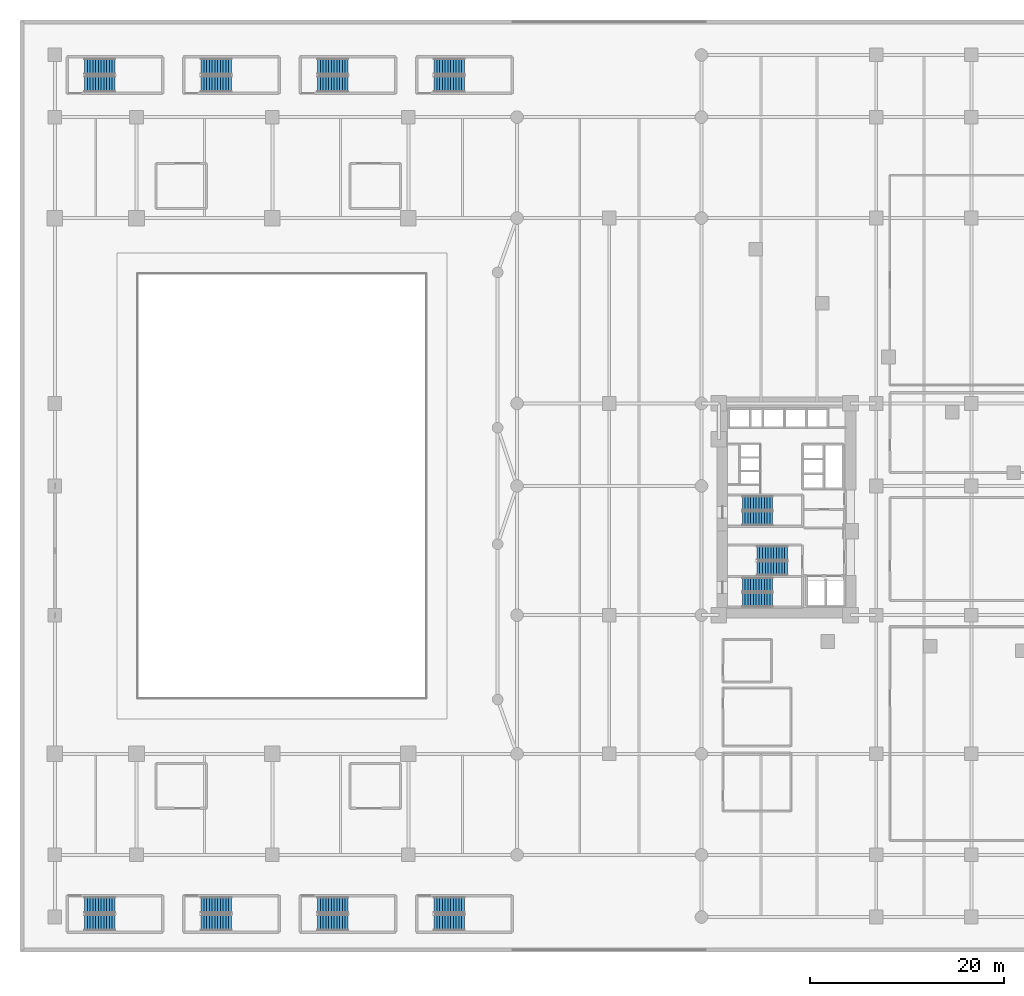
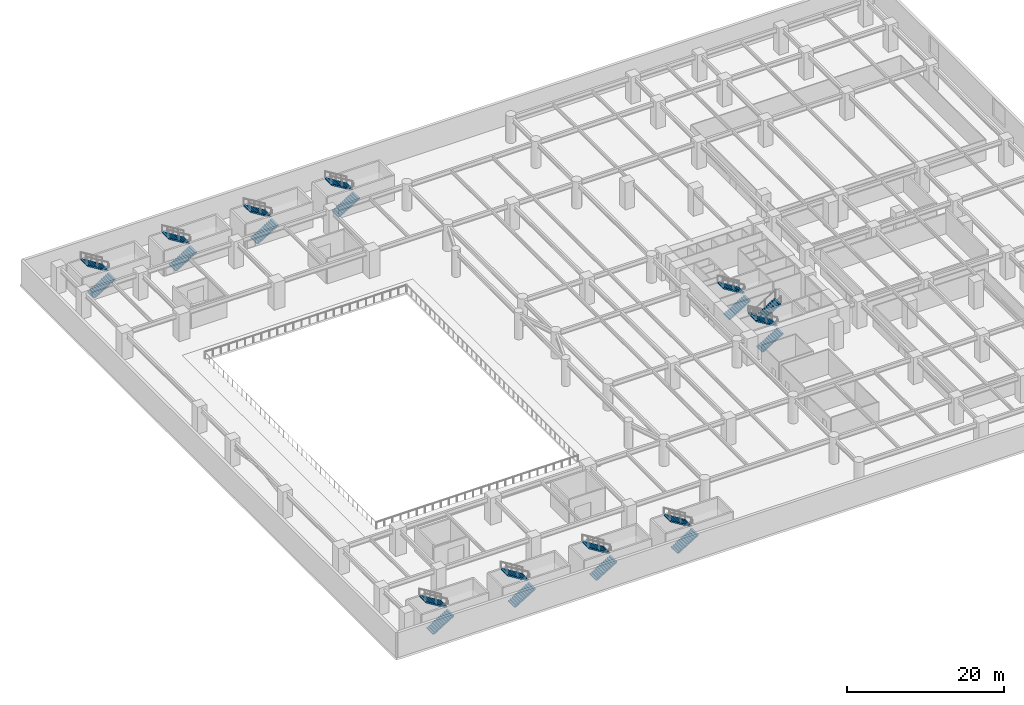
# One storey, part 12 of 22: 22 stair flights, 11 elements without a shape of their own.
"""IFC4 building model written with IfcOpenShell, lengths in metres."""

from ifc_helpers import new_model, si_unit, direction, frame, origin, place, context, subcontext, project, spatial, polyline, outline, extrude, material, type_object, element, aggregate, save


model = new_model("IFC4")

# Units and contexts
model_context = context("Model", 3, precision=1e-05, world=origin(), true_north=direction((0.0, 1.0)))
body_context = subcontext(model_context, "Body", "Model", "MODEL_VIEW")
ifc_project = project(units=[si_unit("LENGTHUNIT", "METRE"), si_unit("AREAUNIT", "SQUARE_METRE"), si_unit("VOLUMEUNIT", "CUBIC_METRE"), si_unit("PLANEANGLEUNIT", "RADIAN"), si_unit("MASSUNIT", "GRAM", prefix="KILO")], contexts=[model_context])

# Site, building, storey
site_placement = place(None, origin())
site = spatial("IfcSite", under=ifc_project, at=site_placement, CompositionType="ELEMENT")
building_placement = place(site_placement, origin())
building = spatial("IfcBuilding", under=site, at=building_placement, Name="Narakoshi Arena Tower", CompositionType="ELEMENT")
storey_placement = place(building_placement, frame((0.0, 0.0, 13.199951171875)))
storey = spatial("IfcBuildingStorey", under=building, at=storey_placement, Name="L03", CompositionType="ELEMENT", Elevation=13.199951171875)

# Stair, stair flights
ifc_material_1 = material(Name="Concrete C45/55", Category="concrete")
stair_type_1 = type_object("IfcStairType", Name="STR-PLANT-420", PredefinedType="TWO_STRAIGHT_RUN_STAIR", material=ifc_material_1)
stair_1_placement = place(storey_placement, origin())
stair_1 = element("IfcStair", 1, at=stair_1_placement, inside=storey, type_object=stair_type_1, Name="L03 Core Escape Stair ST1", PredefinedType="TWO_STRAIGHT_RUN_STAIR")
ifc_material_2 = material(Name="Precast concrete C45/55", Category="concrete")
stair_flight_type_1 = type_object("IfcStairFlightType", Name="FLT-145-160", PredefinedType="STRAIGHT", material=ifc_material_2)
stair_flight_1_placement = place(storey_placement, frame((74.39990234375, 36.27490234375, 0.0), z_axis=(0.0, 0.0, 1.0), x_axis=(1.0, 0.0, 0.0)))
stair_flight_1 = element("IfcStairFlight", 2, at=stair_flight_1_placement, type_object=stair_flight_type_1, Name="ST1 flight 1", NumberOfRisers=12, NumberOfTreads=11, PredefinedType="STRAIGHT", RiserHeight=0.175, TreadLength=0.285, context=body_context, shape_type="SweptSolid", body=[
    extrude(outline(polyline([(0.0, 0.0), (0.0, 0.175048828125), (0.284912109375, 0.175048828125), (0.284912109375, 0.35009765625), (0.570068359375, 0.35009765625), (0.570068359375, 0.52490234375), (0.85498046875, 0.52490234375), (0.85498046875, 0.699951171875), (1.139892578125, 0.699951171875), (1.139892578125, 0.875), (1.425048828125, 0.875), (1.425048828125, 1.050048828125), (1.7099609375, 1.050048828125), (1.7099609375, 1.22509765625), (1.9951171875, 1.22509765625), (1.9951171875, 1.39990234375), (2.280029296875, 1.39990234375), (2.280029296875, 1.574951171875), (2.56494140625, 1.574951171875), (2.56494140625, 1.75), (2.85009765625, 1.75), (2.85009765625, 1.925048828125), (3.135009765625, 1.925048828125), (3.135009765625, 2.10009765625), (3.135009765625, 1.7490234375), (0.286376953125, 0.0), (0.0, 0.0)])), frame((0.0, 0.72509765625, 0.0), z_axis=(0.0, -1.0, 0.0), x_axis=(1.0, 0.0, 0.0)), (0.0, 0.0, 1.0), 1.449951171875),
])
stair_flight_2_placement = place(storey_placement, frame((77.534912109375, 37.824951171875, 2.10009765625), z_axis=(0.0, 0.0, 1.0), x_axis=(-1.0, 0.0, 0.0)))
stair_flight_2 = element("IfcStairFlight", 3, at=stair_flight_2_placement, type_object=stair_flight_type_1, Name="ST1 flight 2", NumberOfRisers=12, NumberOfTreads=11, PredefinedType="STRAIGHT", RiserHeight=0.175, TreadLength=0.285, context=body_context, shape_type="SweptSolid", body=[
    extrude(outline(polyline([(0.0, 0.0), (0.0, 0.175048828125), (0.284912109375, 0.175048828125), (0.284912109375, 0.35009765625), (0.570068359375, 0.35009765625), (0.570068359375, 0.52490234375), (0.85498046875, 0.52490234375), (0.85498046875, 0.699951171875), (1.139892578125, 0.699951171875), (1.139892578125, 0.875), (1.425048828125, 0.875), (1.425048828125, 1.050048828125), (1.7099609375, 1.050048828125), (1.7099609375, 1.22509765625), (1.9951171875, 1.22509765625), (1.9951171875, 1.39990234375), (2.280029296875, 1.39990234375), (2.280029296875, 1.574951171875), (2.56494140625, 1.574951171875), (2.56494140625, 1.75), (2.85009765625, 1.75), (2.85009765625, 1.925048828125), (3.135009765625, 1.925048828125), (3.135009765625, 2.10009765625), (3.135009765625, 1.7490234375), (0.286376953125, 0.0), (0.0, 0.0)])), frame((0.0, 0.72509765625, 0.0), z_axis=(0.0, -1.0, 0.0), x_axis=(1.0, 0.0, 0.0)), (0.0, 0.0, 1.0), 1.449951171875),
])
aggregate(stair_1, [stair_flight_1, stair_flight_2])

stair_2_placement = place(storey_placement, origin())
stair_2 = element("IfcStair", 4, at=stair_2_placement, inside=storey, type_object=stair_type_1, Name="L03 Core Escape Stair ST2", PredefinedType="TWO_STRAIGHT_RUN_STAIR")
stair_flight_3_placement = place(storey_placement, frame((79.050048828125, 41.074951171875, 0.0), z_axis=(0.0, 0.0, 1.0), x_axis=(-1.0, 0.0, 0.0)))
stair_flight_3 = element("IfcStairFlight", 5, at=stair_flight_3_placement, type_object=stair_flight_type_1, Name="ST2 flight 1", NumberOfRisers=12, NumberOfTreads=11, PredefinedType="STRAIGHT", RiserHeight=0.175, TreadLength=0.285, context=body_context, shape_type="SweptSolid", body=[
    extrude(outline(polyline([(0.0, 0.0), (0.0, 0.175048828125), (0.284912109375, 0.175048828125), (0.284912109375, 0.35009765625), (0.570068359375, 0.35009765625), (0.570068359375, 0.52490234375), (0.85498046875, 0.52490234375), (0.85498046875, 0.699951171875), (1.139892578125, 0.699951171875), (1.139892578125, 0.875), (1.425048828125, 0.875), (1.425048828125, 1.050048828125), (1.7099609375, 1.050048828125), (1.7099609375, 1.22509765625), (1.9951171875, 1.22509765625), (1.9951171875, 1.39990234375), (2.280029296875, 1.39990234375), (2.280029296875, 1.574951171875), (2.56494140625, 1.574951171875), (2.56494140625, 1.75), (2.85009765625, 1.75), (2.85009765625, 1.925048828125), (3.135009765625, 1.925048828125), (3.135009765625, 2.10009765625), (3.135009765625, 1.7490234375), (0.286376953125, 0.0), (0.0, 0.0)])), frame((0.0, 0.72509765625, 0.0), z_axis=(0.0, -1.0, 0.0), x_axis=(1.0, 0.0, 0.0)), (0.0, 0.0, 1.0), 1.449951171875),
])
stair_flight_4_placement = place(storey_placement, frame((75.9150390625, 39.52490234375, 2.10009765625), z_axis=(0.0, 0.0, 1.0), x_axis=(1.0, 0.0, 0.0)))
stair_flight_4 = element("IfcStairFlight", 6, at=stair_flight_4_placement, type_object=stair_flight_type_1, Name="ST2 flight 2", NumberOfRisers=12, NumberOfTreads=11, PredefinedType="STRAIGHT", RiserHeight=0.175, TreadLength=0.285, context=body_context, shape_type="SweptSolid", body=[
    extrude(outline(polyline([(0.0, 0.0), (0.0, 0.175048828125), (0.284912109375, 0.175048828125), (0.284912109375, 0.35009765625), (0.570068359375, 0.35009765625), (0.570068359375, 0.52490234375), (0.85498046875, 0.52490234375), (0.85498046875, 0.699951171875), (1.139892578125, 0.699951171875), (1.139892578125, 0.875), (1.425048828125, 0.875), (1.425048828125, 1.050048828125), (1.7099609375, 1.050048828125), (1.7099609375, 1.22509765625), (1.9951171875, 1.22509765625), (1.9951171875, 1.39990234375), (2.280029296875, 1.39990234375), (2.280029296875, 1.574951171875), (2.56494140625, 1.574951171875), (2.56494140625, 1.75), (2.85009765625, 1.75), (2.85009765625, 1.925048828125), (3.135009765625, 1.925048828125), (3.135009765625, 2.10009765625), (3.135009765625, 1.7490234375), (0.286376953125, 0.0), (0.0, 0.0)])), frame((0.0, 0.72509765625, 0.0), z_axis=(0.0, -1.0, 0.0), x_axis=(1.0, 0.0, 0.0)), (0.0, 0.0, 1.0), 1.449951171875),
])
aggregate(stair_2, [stair_flight_3, stair_flight_4])

stair_3_placement = place(storey_placement, origin())
stair_3 = element("IfcStair", 7, at=stair_3_placement, inside=storey, type_object=stair_type_1, Name="L03 Core Escape Stair ST3", PredefinedType="TWO_STRAIGHT_RUN_STAIR")
stair_flight_5_placement = place(storey_placement, frame((74.39990234375, 44.675048828125, 0.0), z_axis=(0.0, 0.0, 1.0), x_axis=(1.0, 0.0, 0.0)))
stair_flight_5 = element("IfcStairFlight", 8, at=stair_flight_5_placement, type_object=stair_flight_type_1, Name="ST3 flight 1", NumberOfRisers=12, NumberOfTreads=11, PredefinedType="STRAIGHT", RiserHeight=0.175, TreadLength=0.285, context=body_context, shape_type="SweptSolid", body=[
    extrude(outline(polyline([(0.0, 0.0), (0.0, 0.175048828125), (0.284912109375, 0.175048828125), (0.284912109375, 0.35009765625), (0.570068359375, 0.35009765625), (0.570068359375, 0.52490234375), (0.85498046875, 0.52490234375), (0.85498046875, 0.699951171875), (1.139892578125, 0.699951171875), (1.139892578125, 0.875), (1.425048828125, 0.875), (1.425048828125, 1.050048828125), (1.7099609375, 1.050048828125), (1.7099609375, 1.22509765625), (1.9951171875, 1.22509765625), (1.9951171875, 1.39990234375), (2.280029296875, 1.39990234375), (2.280029296875, 1.574951171875), (2.56494140625, 1.574951171875), (2.56494140625, 1.75), (2.85009765625, 1.75), (2.85009765625, 1.925048828125), (3.135009765625, 1.925048828125), (3.135009765625, 2.10009765625), (3.135009765625, 1.7490234375), (0.286376953125, 0.0), (0.0, 0.0)])), frame((0.0, 0.72509765625, 0.0), z_axis=(0.0, -1.0, 0.0), x_axis=(1.0, 0.0, 0.0)), (0.0, 0.0, 1.0), 1.449951171875),
])
stair_flight_6_placement = place(storey_placement, frame((77.534912109375, 46.22509765625, 2.10009765625), z_axis=(0.0, 0.0, 1.0), x_axis=(-1.0, 0.0, 0.0)))
stair_flight_6 = element("IfcStairFlight", 9, at=stair_flight_6_placement, type_object=stair_flight_type_1, Name="ST3 flight 2", NumberOfRisers=12, NumberOfTreads=11, PredefinedType="STRAIGHT", RiserHeight=0.175, TreadLength=0.285, context=body_context, shape_type="SweptSolid", body=[
    extrude(outline(polyline([(0.0, 0.0), (0.0, 0.175048828125), (0.284912109375, 0.175048828125), (0.284912109375, 0.35009765625), (0.570068359375, 0.35009765625), (0.570068359375, 0.52490234375), (0.85498046875, 0.52490234375), (0.85498046875, 0.699951171875), (1.139892578125, 0.699951171875), (1.139892578125, 0.875), (1.425048828125, 0.875), (1.425048828125, 1.050048828125), (1.7099609375, 1.050048828125), (1.7099609375, 1.22509765625), (1.9951171875, 1.22509765625), (1.9951171875, 1.39990234375), (2.280029296875, 1.39990234375), (2.280029296875, 1.574951171875), (2.56494140625, 1.574951171875), (2.56494140625, 1.75), (2.85009765625, 1.75), (2.85009765625, 1.925048828125), (3.135009765625, 1.925048828125), (3.135009765625, 2.10009765625), (3.135009765625, 1.7490234375), (0.286376953125, 0.0), (0.0, 0.0)])), frame((0.0, 0.72509765625, 0.0), z_axis=(0.0, -1.0, 0.0), x_axis=(1.0, 0.0, 0.0)), (0.0, 0.0, 1.0), 1.449951171875),
])
aggregate(stair_3, [stair_flight_5, stair_flight_6])

stair_type_2 = type_object("IfcStairType", Name="STR-ARN-2400", PredefinedType="TWO_STRAIGHT_RUN_STAIR", material=ifc_material_1)
stair_4_placement = place(storey_placement, origin())
stair_4 = element("IfcStair", 10, at=stair_4_placement, inside=storey, type_object=stair_type_2, Name="L03 Arena Crowd Escape Stair AST1", PredefinedType="TWO_STRAIGHT_RUN_STAIR")
stair_flight_type_2 = type_object("IfcStairFlightType", Name="FLT-240-150", PredefinedType="STRAIGHT", material=ifc_material_2)
stair_flight_7_placement = place(storey_placement, frame((6.64990234375, 3.02490234375, 0.0), z_axis=(0.0, 0.0, 1.0), x_axis=(1.0, 0.0, 0.0)))
stair_flight_7 = element("IfcStairFlight", 11, at=stair_flight_7_placement, type_object=stair_flight_type_2, Name="AST1 flight 1", NumberOfRisers=12, NumberOfTreads=11, PredefinedType="STRAIGHT", RiserHeight=0.175, TreadLength=0.285, context=body_context, shape_type="SweptSolid", body=[
    extrude(outline(polyline([(0.0, 0.0), (0.0, 0.175048828125), (0.284912109375, 0.175048828125), (0.284912109375, 0.35009765625), (0.570068359375, 0.35009765625), (0.570068359375, 0.52490234375), (0.85498046875, 0.52490234375), (0.85498046875, 0.699951171875), (1.139892578125, 0.699951171875), (1.139892578125, 0.875), (1.425048828125, 0.875), (1.425048828125, 1.050048828125), (1.7099609375, 1.050048828125), (1.7099609375, 1.22509765625), (1.9951171875, 1.22509765625), (1.9951171875, 1.39990234375), (2.280029296875, 1.39990234375), (2.280029296875, 1.574951171875), (2.56494140625, 1.574951171875), (2.56494140625, 1.75), (2.85009765625, 1.75), (2.85009765625, 1.925048828125), (3.135009765625, 1.925048828125), (3.135009765625, 2.10009765625), (3.135009765625, 1.7490234375), (0.286376953125, 0.0), (0.0, 0.0)])), frame((0.0, 0.824951171875, 0.0), z_axis=(0.0, -1.0, 0.0), x_axis=(1.0, 0.0, 0.0)), (0.0, 0.0, 1.0), 1.64990234375),
])
stair_flight_8_placement = place(storey_placement, frame((9.784912109375, 4.824951171875, 2.10009765625), z_axis=(0.0, 0.0, 1.0), x_axis=(-1.0, 0.0, 0.0)))
stair_flight_8 = element("IfcStairFlight", 12, at=stair_flight_8_placement, type_object=stair_flight_type_2, Name="AST1 flight 2", NumberOfRisers=12, NumberOfTreads=11, PredefinedType="STRAIGHT", RiserHeight=0.175, TreadLength=0.285, context=body_context, shape_type="SweptSolid", body=[
    extrude(outline(polyline([(0.0, 0.0), (0.0, 0.175048828125), (0.284912109375, 0.175048828125), (0.284912109375, 0.35009765625), (0.570068359375, 0.35009765625), (0.570068359375, 0.52490234375), (0.85498046875, 0.52490234375), (0.85498046875, 0.699951171875), (1.139892578125, 0.699951171875), (1.139892578125, 0.875), (1.425048828125, 0.875), (1.425048828125, 1.050048828125), (1.7099609375, 1.050048828125), (1.7099609375, 1.22509765625), (1.9951171875, 1.22509765625), (1.9951171875, 1.39990234375), (2.280029296875, 1.39990234375), (2.280029296875, 1.574951171875), (2.56494140625, 1.574951171875), (2.56494140625, 1.75), (2.85009765625, 1.75), (2.85009765625, 1.925048828125), (3.135009765625, 1.925048828125), (3.135009765625, 2.10009765625), (3.135009765625, 1.7490234375), (0.286376953125, 0.0), (0.0, 0.0)])), frame((0.0, 0.824951171875, 0.0), z_axis=(0.0, -1.0, 0.0), x_axis=(1.0, 0.0, 0.0)), (0.0, 0.0, 1.0), 1.64990234375),
])
aggregate(stair_4, [stair_flight_7, stair_flight_8])

stair_5_placement = place(storey_placement, origin())
stair_5 = element("IfcStair", 13, at=stair_5_placement, inside=storey, type_object=stair_type_2, Name="L03 Arena Crowd Escape Stair AST2", PredefinedType="TWO_STRAIGHT_RUN_STAIR")
stair_flight_9_placement = place(storey_placement, frame((18.64990234375, 3.02490234375, 0.0), z_axis=(0.0, 0.0, 1.0), x_axis=(1.0, 0.0, 0.0)))
stair_flight_9 = element("IfcStairFlight", 14, at=stair_flight_9_placement, type_object=stair_flight_type_2, Name="AST2 flight 1", NumberOfRisers=12, NumberOfTreads=11, PredefinedType="STRAIGHT", RiserHeight=0.175, TreadLength=0.285, context=body_context, shape_type="SweptSolid", body=[
    extrude(outline(polyline([(0.0, 0.0), (0.0, 0.175048828125), (0.284912109375, 0.175048828125), (0.284912109375, 0.35009765625), (0.570068359375, 0.35009765625), (0.570068359375, 0.52490234375), (0.85498046875, 0.52490234375), (0.85498046875, 0.699951171875), (1.139892578125, 0.699951171875), (1.139892578125, 0.875), (1.425048828125, 0.875), (1.425048828125, 1.050048828125), (1.7099609375, 1.050048828125), (1.7099609375, 1.22509765625), (1.9951171875, 1.22509765625), (1.9951171875, 1.39990234375), (2.280029296875, 1.39990234375), (2.280029296875, 1.574951171875), (2.56494140625, 1.574951171875), (2.56494140625, 1.75), (2.85009765625, 1.75), (2.85009765625, 1.925048828125), (3.135009765625, 1.925048828125), (3.135009765625, 2.10009765625), (3.135009765625, 1.7490234375), (0.286376953125, 0.0), (0.0, 0.0)])), frame((0.0, 0.824951171875, 0.0), z_axis=(0.0, -1.0, 0.0), x_axis=(1.0, 0.0, 0.0)), (0.0, 0.0, 1.0), 1.64990234375),
])
stair_flight_10_placement = place(storey_placement, frame((21.784912109375, 4.824951171875, 2.10009765625), z_axis=(0.0, 0.0, 1.0), x_axis=(-1.0, 0.0, 0.0)))
stair_flight_10 = element("IfcStairFlight", 15, at=stair_flight_10_placement, type_object=stair_flight_type_2, Name="AST2 flight 2", NumberOfRisers=12, NumberOfTreads=11, PredefinedType="STRAIGHT", RiserHeight=0.175, TreadLength=0.285, context=body_context, shape_type="SweptSolid", body=[
    extrude(outline(polyline([(0.0, 0.0), (0.0, 0.175048828125), (0.284912109375, 0.175048828125), (0.284912109375, 0.35009765625), (0.570068359375, 0.35009765625), (0.570068359375, 0.52490234375), (0.85498046875, 0.52490234375), (0.85498046875, 0.699951171875), (1.139892578125, 0.699951171875), (1.139892578125, 0.875), (1.425048828125, 0.875), (1.425048828125, 1.050048828125), (1.7099609375, 1.050048828125), (1.7099609375, 1.22509765625), (1.9951171875, 1.22509765625), (1.9951171875, 1.39990234375), (2.280029296875, 1.39990234375), (2.280029296875, 1.574951171875), (2.56494140625, 1.574951171875), (2.56494140625, 1.75), (2.85009765625, 1.75), (2.85009765625, 1.925048828125), (3.135009765625, 1.925048828125), (3.135009765625, 2.10009765625), (3.135009765625, 1.7490234375), (0.286376953125, 0.0), (0.0, 0.0)])), frame((0.0, 0.824951171875, 0.0), z_axis=(0.0, -1.0, 0.0), x_axis=(1.0, 0.0, 0.0)), (0.0, 0.0, 1.0), 1.64990234375),
])
aggregate(stair_5, [stair_flight_9, stair_flight_10])

stair_6_placement = place(storey_placement, origin())
stair_6 = element("IfcStair", 16, at=stair_6_placement, inside=storey, type_object=stair_type_2, Name="L03 Arena Crowd Escape Stair AST3", PredefinedType="TWO_STRAIGHT_RUN_STAIR")
stair_flight_11_placement = place(storey_placement, frame((30.64990234375, 3.02490234375, 0.0), z_axis=(0.0, 0.0, 1.0), x_axis=(1.0, 0.0, 0.0)))
stair_flight_11 = element("IfcStairFlight", 17, at=stair_flight_11_placement, type_object=stair_flight_type_2, Name="AST3 flight 1", NumberOfRisers=12, NumberOfTreads=11, PredefinedType="STRAIGHT", RiserHeight=0.175, TreadLength=0.285, context=body_context, shape_type="SweptSolid", body=[
    extrude(outline(polyline([(0.0, 0.0), (0.0, 0.175048828125), (0.284912109375, 0.175048828125), (0.284912109375, 0.35009765625), (0.570068359375, 0.35009765625), (0.570068359375, 0.52490234375), (0.85498046875, 0.52490234375), (0.85498046875, 0.699951171875), (1.139892578125, 0.699951171875), (1.139892578125, 0.875), (1.425048828125, 0.875), (1.425048828125, 1.050048828125), (1.7099609375, 1.050048828125), (1.7099609375, 1.22509765625), (1.9951171875, 1.22509765625), (1.9951171875, 1.39990234375), (2.280029296875, 1.39990234375), (2.280029296875, 1.574951171875), (2.56494140625, 1.574951171875), (2.56494140625, 1.75), (2.85009765625, 1.75), (2.85009765625, 1.925048828125), (3.135009765625, 1.925048828125), (3.135009765625, 2.10009765625), (3.135009765625, 1.7490234375), (0.286376953125, 0.0), (0.0, 0.0)])), frame((0.0, 0.824951171875, 0.0), z_axis=(0.0, -1.0, 0.0), x_axis=(1.0, 0.0, 0.0)), (0.0, 0.0, 1.0), 1.64990234375),
])
stair_flight_12_placement = place(storey_placement, frame((33.784912109375, 4.824951171875, 2.10009765625), z_axis=(0.0, 0.0, 1.0), x_axis=(-1.0, 0.0, 0.0)))
stair_flight_12 = element("IfcStairFlight", 18, at=stair_flight_12_placement, type_object=stair_flight_type_2, Name="AST3 flight 2", NumberOfRisers=12, NumberOfTreads=11, PredefinedType="STRAIGHT", RiserHeight=0.175, TreadLength=0.285, context=body_context, shape_type="SweptSolid", body=[
    extrude(outline(polyline([(0.0, 0.0), (0.0, 0.175048828125), (0.284912109375, 0.175048828125), (0.284912109375, 0.35009765625), (0.570068359375, 0.35009765625), (0.570068359375, 0.52490234375), (0.85498046875, 0.52490234375), (0.85498046875, 0.699951171875), (1.139892578125, 0.699951171875), (1.139892578125, 0.875), (1.425048828125, 0.875), (1.425048828125, 1.050048828125), (1.7099609375, 1.050048828125), (1.7099609375, 1.22509765625), (1.9951171875, 1.22509765625), (1.9951171875, 1.39990234375), (2.280029296875, 1.39990234375), (2.280029296875, 1.574951171875), (2.56494140625, 1.574951171875), (2.56494140625, 1.75), (2.85009765625, 1.75), (2.85009765625, 1.925048828125), (3.135009765625, 1.925048828125), (3.135009765625, 2.10009765625), (3.135009765625, 1.7490234375), (0.286376953125, 0.0), (0.0, 0.0)])), frame((0.0, 0.824951171875, 0.0), z_axis=(0.0, -1.0, 0.0), x_axis=(1.0, 0.0, 0.0)), (0.0, 0.0, 1.0), 1.64990234375),
])
aggregate(stair_6, [stair_flight_11, stair_flight_12])

stair_7_placement = place(storey_placement, origin())
stair_7 = element("IfcStair", 19, at=stair_7_placement, inside=storey, type_object=stair_type_2, Name="L03 Arena Crowd Escape Stair AST4", PredefinedType="TWO_STRAIGHT_RUN_STAIR")
stair_flight_13_placement = place(storey_placement, frame((42.64990234375, 3.02490234375, 0.0), z_axis=(0.0, 0.0, 1.0), x_axis=(1.0, 0.0, 0.0)))
stair_flight_13 = element("IfcStairFlight", 20, at=stair_flight_13_placement, type_object=stair_flight_type_2, Name="AST4 flight 1", NumberOfRisers=12, NumberOfTreads=11, PredefinedType="STRAIGHT", RiserHeight=0.175, TreadLength=0.285, context=body_context, shape_type="SweptSolid", body=[
    extrude(outline(polyline([(0.0, 0.0), (0.0, 0.175048828125), (0.284912109375, 0.175048828125), (0.284912109375, 0.35009765625), (0.570068359375, 0.35009765625), (0.570068359375, 0.52490234375), (0.85498046875, 0.52490234375), (0.85498046875, 0.699951171875), (1.139892578125, 0.699951171875), (1.139892578125, 0.875), (1.425048828125, 0.875), (1.425048828125, 1.050048828125), (1.7099609375, 1.050048828125), (1.7099609375, 1.22509765625), (1.9951171875, 1.22509765625), (1.9951171875, 1.39990234375), (2.280029296875, 1.39990234375), (2.280029296875, 1.574951171875), (2.56494140625, 1.574951171875), (2.56494140625, 1.75), (2.85009765625, 1.75), (2.85009765625, 1.925048828125), (3.135009765625, 1.925048828125), (3.135009765625, 2.10009765625), (3.135009765625, 1.7490234375), (0.286376953125, 0.0), (0.0, 0.0)])), frame((0.0, 0.824951171875, 0.0), z_axis=(0.0, -1.0, 0.0), x_axis=(1.0, 0.0, 0.0)), (0.0, 0.0, 1.0), 1.64990234375),
])
stair_flight_14_placement = place(storey_placement, frame((45.784912109375, 4.824951171875, 2.10009765625), z_axis=(0.0, 0.0, 1.0), x_axis=(-1.0, 0.0, 0.0)))
stair_flight_14 = element("IfcStairFlight", 21, at=stair_flight_14_placement, type_object=stair_flight_type_2, Name="AST4 flight 2", NumberOfRisers=12, NumberOfTreads=11, PredefinedType="STRAIGHT", RiserHeight=0.175, TreadLength=0.285, context=body_context, shape_type="SweptSolid", body=[
    extrude(outline(polyline([(0.0, 0.0), (0.0, 0.175048828125), (0.284912109375, 0.175048828125), (0.284912109375, 0.35009765625), (0.570068359375, 0.35009765625), (0.570068359375, 0.52490234375), (0.85498046875, 0.52490234375), (0.85498046875, 0.699951171875), (1.139892578125, 0.699951171875), (1.139892578125, 0.875), (1.425048828125, 0.875), (1.425048828125, 1.050048828125), (1.7099609375, 1.050048828125), (1.7099609375, 1.22509765625), (1.9951171875, 1.22509765625), (1.9951171875, 1.39990234375), (2.280029296875, 1.39990234375), (2.280029296875, 1.574951171875), (2.56494140625, 1.574951171875), (2.56494140625, 1.75), (2.85009765625, 1.75), (2.85009765625, 1.925048828125), (3.135009765625, 1.925048828125), (3.135009765625, 2.10009765625), (3.135009765625, 1.7490234375), (0.286376953125, 0.0), (0.0, 0.0)])), frame((0.0, 0.824951171875, 0.0), z_axis=(0.0, -1.0, 0.0), x_axis=(1.0, 0.0, 0.0)), (0.0, 0.0, 1.0), 1.64990234375),
])
aggregate(stair_7, [stair_flight_13, stair_flight_14])

stair_8_placement = place(storey_placement, origin())
stair_8 = element("IfcStair", 22, at=stair_8_placement, inside=storey, type_object=stair_type_2, Name="L03 Arena Crowd Escape Stair AST5", PredefinedType="TWO_STRAIGHT_RUN_STAIR")
stair_flight_15_placement = place(storey_placement, frame((6.64990234375, 89.425048828125, 0.0), z_axis=(0.0, 0.0, 1.0), x_axis=(1.0, 0.0, 0.0)))
stair_flight_15 = element("IfcStairFlight", 23, at=stair_flight_15_placement, type_object=stair_flight_type_2, Name="AST5 flight 1", NumberOfRisers=12, NumberOfTreads=11, PredefinedType="STRAIGHT", RiserHeight=0.175, TreadLength=0.285, context=body_context, shape_type="SweptSolid", body=[
    extrude(outline(polyline([(0.0, 0.0), (0.0, 0.175048828125), (0.284912109375, 0.175048828125), (0.284912109375, 0.35009765625), (0.570068359375, 0.35009765625), (0.570068359375, 0.52490234375), (0.85498046875, 0.52490234375), (0.85498046875, 0.699951171875), (1.139892578125, 0.699951171875), (1.139892578125, 0.875), (1.425048828125, 0.875), (1.425048828125, 1.050048828125), (1.7099609375, 1.050048828125), (1.7099609375, 1.22509765625), (1.9951171875, 1.22509765625), (1.9951171875, 1.39990234375), (2.280029296875, 1.39990234375), (2.280029296875, 1.574951171875), (2.56494140625, 1.574951171875), (2.56494140625, 1.75), (2.85009765625, 1.75), (2.85009765625, 1.925048828125), (3.135009765625, 1.925048828125), (3.135009765625, 2.10009765625), (3.135009765625, 1.7490234375), (0.286376953125, 0.0), (0.0, 0.0)])), frame((0.0, 0.824951171875, 0.0), z_axis=(0.0, -1.0, 0.0), x_axis=(1.0, 0.0, 0.0)), (0.0, 0.0, 1.0), 1.64990234375),
])
stair_flight_16_placement = place(storey_placement, frame((9.784912109375, 91.22509765625, 2.10009765625), z_axis=(0.0, 0.0, 1.0), x_axis=(-1.0, 0.0, 0.0)))
stair_flight_16 = element("IfcStairFlight", 24, at=stair_flight_16_placement, type_object=stair_flight_type_2, Name="AST5 flight 2", NumberOfRisers=12, NumberOfTreads=11, PredefinedType="STRAIGHT", RiserHeight=0.175, TreadLength=0.285, context=body_context, shape_type="SweptSolid", body=[
    extrude(outline(polyline([(0.0, 0.0), (0.0, 0.175048828125), (0.284912109375, 0.175048828125), (0.284912109375, 0.35009765625), (0.570068359375, 0.35009765625), (0.570068359375, 0.52490234375), (0.85498046875, 0.52490234375), (0.85498046875, 0.699951171875), (1.139892578125, 0.699951171875), (1.139892578125, 0.875), (1.425048828125, 0.875), (1.425048828125, 1.050048828125), (1.7099609375, 1.050048828125), (1.7099609375, 1.22509765625), (1.9951171875, 1.22509765625), (1.9951171875, 1.39990234375), (2.280029296875, 1.39990234375), (2.280029296875, 1.574951171875), (2.56494140625, 1.574951171875), (2.56494140625, 1.75), (2.85009765625, 1.75), (2.85009765625, 1.925048828125), (3.135009765625, 1.925048828125), (3.135009765625, 2.10009765625), (3.135009765625, 1.7490234375), (0.286376953125, 0.0), (0.0, 0.0)])), frame((0.0, 0.824951171875, 0.0), z_axis=(0.0, -1.0, 0.0), x_axis=(1.0, 0.0, 0.0)), (0.0, 0.0, 1.0), 1.64990234375),
])
aggregate(stair_8, [stair_flight_15, stair_flight_16])

stair_9_placement = place(storey_placement, origin())
stair_9 = element("IfcStair", 25, at=stair_9_placement, inside=storey, type_object=stair_type_2, Name="L03 Arena Crowd Escape Stair AST6", PredefinedType="TWO_STRAIGHT_RUN_STAIR")
stair_flight_17_placement = place(storey_placement, frame((18.64990234375, 89.425048828125, 0.0), z_axis=(0.0, 0.0, 1.0), x_axis=(1.0, 0.0, 0.0)))
stair_flight_17 = element("IfcStairFlight", 26, at=stair_flight_17_placement, type_object=stair_flight_type_2, Name="AST6 flight 1", NumberOfRisers=12, NumberOfTreads=11, PredefinedType="STRAIGHT", RiserHeight=0.175, TreadLength=0.285, context=body_context, shape_type="SweptSolid", body=[
    extrude(outline(polyline([(0.0, 0.0), (0.0, 0.175048828125), (0.284912109375, 0.175048828125), (0.284912109375, 0.35009765625), (0.570068359375, 0.35009765625), (0.570068359375, 0.52490234375), (0.85498046875, 0.52490234375), (0.85498046875, 0.699951171875), (1.139892578125, 0.699951171875), (1.139892578125, 0.875), (1.425048828125, 0.875), (1.425048828125, 1.050048828125), (1.7099609375, 1.050048828125), (1.7099609375, 1.22509765625), (1.9951171875, 1.22509765625), (1.9951171875, 1.39990234375), (2.280029296875, 1.39990234375), (2.280029296875, 1.574951171875), (2.56494140625, 1.574951171875), (2.56494140625, 1.75), (2.85009765625, 1.75), (2.85009765625, 1.925048828125), (3.135009765625, 1.925048828125), (3.135009765625, 2.10009765625), (3.135009765625, 1.7490234375), (0.286376953125, 0.0), (0.0, 0.0)])), frame((0.0, 0.824951171875, 0.0), z_axis=(0.0, -1.0, 0.0), x_axis=(1.0, 0.0, 0.0)), (0.0, 0.0, 1.0), 1.64990234375),
])
stair_flight_18_placement = place(storey_placement, frame((21.784912109375, 91.22509765625, 2.10009765625), z_axis=(0.0, 0.0, 1.0), x_axis=(-1.0, 0.0, 0.0)))
stair_flight_18 = element("IfcStairFlight", 27, at=stair_flight_18_placement, type_object=stair_flight_type_2, Name="AST6 flight 2", NumberOfRisers=12, NumberOfTreads=11, PredefinedType="STRAIGHT", RiserHeight=0.175, TreadLength=0.285, context=body_context, shape_type="SweptSolid", body=[
    extrude(outline(polyline([(0.0, 0.0), (0.0, 0.175048828125), (0.284912109375, 0.175048828125), (0.284912109375, 0.35009765625), (0.570068359375, 0.35009765625), (0.570068359375, 0.52490234375), (0.85498046875, 0.52490234375), (0.85498046875, 0.699951171875), (1.139892578125, 0.699951171875), (1.139892578125, 0.875), (1.425048828125, 0.875), (1.425048828125, 1.050048828125), (1.7099609375, 1.050048828125), (1.7099609375, 1.22509765625), (1.9951171875, 1.22509765625), (1.9951171875, 1.39990234375), (2.280029296875, 1.39990234375), (2.280029296875, 1.574951171875), (2.56494140625, 1.574951171875), (2.56494140625, 1.75), (2.85009765625, 1.75), (2.85009765625, 1.925048828125), (3.135009765625, 1.925048828125), (3.135009765625, 2.10009765625), (3.135009765625, 1.7490234375), (0.286376953125, 0.0), (0.0, 0.0)])), frame((0.0, 0.824951171875, 0.0), z_axis=(0.0, -1.0, 0.0), x_axis=(1.0, 0.0, 0.0)), (0.0, 0.0, 1.0), 1.64990234375),
])
aggregate(stair_9, [stair_flight_17, stair_flight_18])

stair_10_placement = place(storey_placement, origin())
stair_10 = element("IfcStair", 28, at=stair_10_placement, inside=storey, type_object=stair_type_2, Name="L03 Arena Crowd Escape Stair AST7", PredefinedType="TWO_STRAIGHT_RUN_STAIR")
stair_flight_19_placement = place(storey_placement, frame((30.64990234375, 89.425048828125, 0.0), z_axis=(0.0, 0.0, 1.0), x_axis=(1.0, 0.0, 0.0)))
stair_flight_19 = element("IfcStairFlight", 29, at=stair_flight_19_placement, type_object=stair_flight_type_2, Name="AST7 flight 1", NumberOfRisers=12, NumberOfTreads=11, PredefinedType="STRAIGHT", RiserHeight=0.175, TreadLength=0.285, context=body_context, shape_type="SweptSolid", body=[
    extrude(outline(polyline([(0.0, 0.0), (0.0, 0.175048828125), (0.284912109375, 0.175048828125), (0.284912109375, 0.35009765625), (0.570068359375, 0.35009765625), (0.570068359375, 0.52490234375), (0.85498046875, 0.52490234375), (0.85498046875, 0.699951171875), (1.139892578125, 0.699951171875), (1.139892578125, 0.875), (1.425048828125, 0.875), (1.425048828125, 1.050048828125), (1.7099609375, 1.050048828125), (1.7099609375, 1.22509765625), (1.9951171875, 1.22509765625), (1.9951171875, 1.39990234375), (2.280029296875, 1.39990234375), (2.280029296875, 1.574951171875), (2.56494140625, 1.574951171875), (2.56494140625, 1.75), (2.85009765625, 1.75), (2.85009765625, 1.925048828125), (3.135009765625, 1.925048828125), (3.135009765625, 2.10009765625), (3.135009765625, 1.7490234375), (0.286376953125, 0.0), (0.0, 0.0)])), frame((0.0, 0.824951171875, 0.0), z_axis=(0.0, -1.0, 0.0), x_axis=(1.0, 0.0, 0.0)), (0.0, 0.0, 1.0), 1.64990234375),
])
stair_flight_20_placement = place(storey_placement, frame((33.784912109375, 91.22509765625, 2.10009765625), z_axis=(0.0, 0.0, 1.0), x_axis=(-1.0, 0.0, 0.0)))
stair_flight_20 = element("IfcStairFlight", 30, at=stair_flight_20_placement, type_object=stair_flight_type_2, Name="AST7 flight 2", NumberOfRisers=12, NumberOfTreads=11, PredefinedType="STRAIGHT", RiserHeight=0.175, TreadLength=0.285, context=body_context, shape_type="SweptSolid", body=[
    extrude(outline(polyline([(0.0, 0.0), (0.0, 0.175048828125), (0.284912109375, 0.175048828125), (0.284912109375, 0.35009765625), (0.570068359375, 0.35009765625), (0.570068359375, 0.52490234375), (0.85498046875, 0.52490234375), (0.85498046875, 0.699951171875), (1.139892578125, 0.699951171875), (1.139892578125, 0.875), (1.425048828125, 0.875), (1.425048828125, 1.050048828125), (1.7099609375, 1.050048828125), (1.7099609375, 1.22509765625), (1.9951171875, 1.22509765625), (1.9951171875, 1.39990234375), (2.280029296875, 1.39990234375), (2.280029296875, 1.574951171875), (2.56494140625, 1.574951171875), (2.56494140625, 1.75), (2.85009765625, 1.75), (2.85009765625, 1.925048828125), (3.135009765625, 1.925048828125), (3.135009765625, 2.10009765625), (3.135009765625, 1.7490234375), (0.286376953125, 0.0), (0.0, 0.0)])), frame((0.0, 0.824951171875, 0.0), z_axis=(0.0, -1.0, 0.0), x_axis=(1.0, 0.0, 0.0)), (0.0, 0.0, 1.0), 1.64990234375),
])
aggregate(stair_10, [stair_flight_19, stair_flight_20])

stair_11_placement = place(storey_placement, origin())
stair_11 = element("IfcStair", 31, at=stair_11_placement, inside=storey, type_object=stair_type_2, Name="L03 Arena Crowd Escape Stair AST8", PredefinedType="TWO_STRAIGHT_RUN_STAIR")
stair_flight_21_placement = place(storey_placement, frame((42.64990234375, 89.425048828125, 0.0), z_axis=(0.0, 0.0, 1.0), x_axis=(1.0, 0.0, 0.0)))
stair_flight_21 = element("IfcStairFlight", 32, at=stair_flight_21_placement, type_object=stair_flight_type_2, Name="AST8 flight 1", NumberOfRisers=12, NumberOfTreads=11, PredefinedType="STRAIGHT", RiserHeight=0.175, TreadLength=0.285, context=body_context, shape_type="SweptSolid", body=[
    extrude(outline(polyline([(0.0, 0.0), (0.0, 0.175048828125), (0.284912109375, 0.175048828125), (0.284912109375, 0.35009765625), (0.570068359375, 0.35009765625), (0.570068359375, 0.52490234375), (0.85498046875, 0.52490234375), (0.85498046875, 0.699951171875), (1.139892578125, 0.699951171875), (1.139892578125, 0.875), (1.425048828125, 0.875), (1.425048828125, 1.050048828125), (1.7099609375, 1.050048828125), (1.7099609375, 1.22509765625), (1.9951171875, 1.22509765625), (1.9951171875, 1.39990234375), (2.280029296875, 1.39990234375), (2.280029296875, 1.574951171875), (2.56494140625, 1.574951171875), (2.56494140625, 1.75), (2.85009765625, 1.75), (2.85009765625, 1.925048828125), (3.135009765625, 1.925048828125), (3.135009765625, 2.10009765625), (3.135009765625, 1.7490234375), (0.286376953125, 0.0), (0.0, 0.0)])), frame((0.0, 0.824951171875, 0.0), z_axis=(0.0, -1.0, 0.0), x_axis=(1.0, 0.0, 0.0)), (0.0, 0.0, 1.0), 1.64990234375),
])
stair_flight_22_placement = place(storey_placement, frame((45.784912109375, 91.22509765625, 2.10009765625), z_axis=(0.0, 0.0, 1.0), x_axis=(-1.0, 0.0, 0.0)))
stair_flight_22 = element("IfcStairFlight", 33, at=stair_flight_22_placement, type_object=stair_flight_type_2, Name="AST8 flight 2", NumberOfRisers=12, NumberOfTreads=11, PredefinedType="STRAIGHT", RiserHeight=0.175, TreadLength=0.285, context=body_context, shape_type="SweptSolid", body=[
    extrude(outline(polyline([(0.0, 0.0), (0.0, 0.175048828125), (0.284912109375, 0.175048828125), (0.284912109375, 0.35009765625), (0.570068359375, 0.35009765625), (0.570068359375, 0.52490234375), (0.85498046875, 0.52490234375), (0.85498046875, 0.699951171875), (1.139892578125, 0.699951171875), (1.139892578125, 0.875), (1.425048828125, 0.875), (1.425048828125, 1.050048828125), (1.7099609375, 1.050048828125), (1.7099609375, 1.22509765625), (1.9951171875, 1.22509765625), (1.9951171875, 1.39990234375), (2.280029296875, 1.39990234375), (2.280029296875, 1.574951171875), (2.56494140625, 1.574951171875), (2.56494140625, 1.75), (2.85009765625, 1.75), (2.85009765625, 1.925048828125), (3.135009765625, 1.925048828125), (3.135009765625, 2.10009765625), (3.135009765625, 1.7490234375), (0.286376953125, 0.0), (0.0, 0.0)])), frame((0.0, 0.824951171875, 0.0), z_axis=(0.0, -1.0, 0.0), x_axis=(1.0, 0.0, 0.0)), (0.0, 0.0, 1.0), 1.64990234375),
])
aggregate(stair_11, [stair_flight_21, stair_flight_22])

save(model, "model.ifc")
